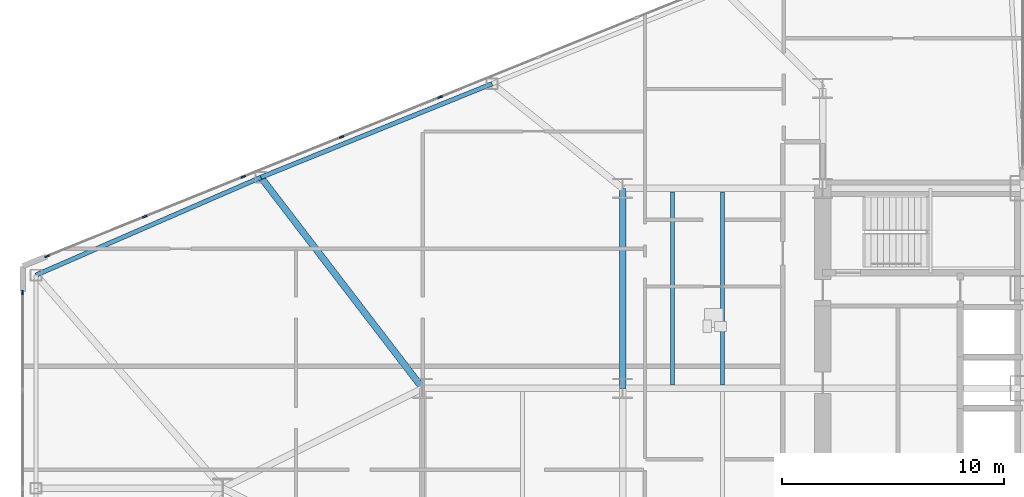
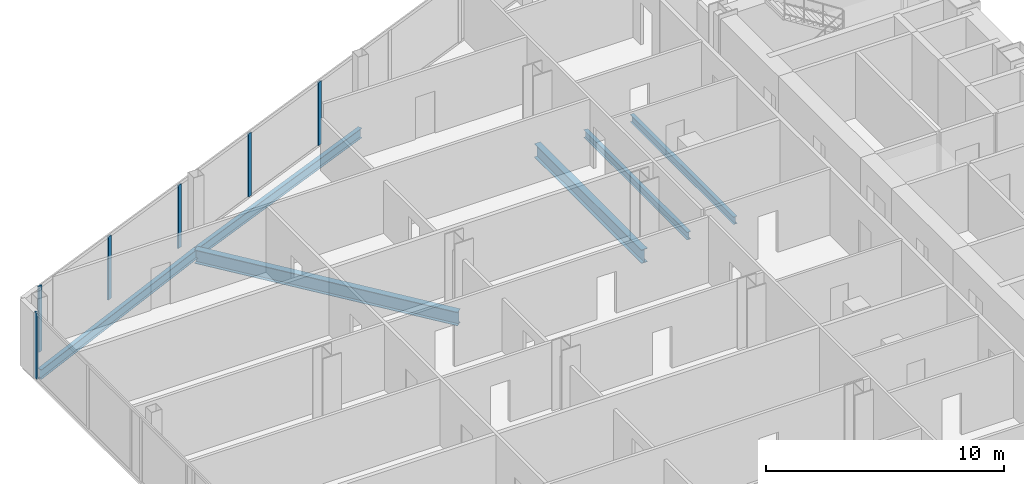
# One storey, part 6 of 25: 6 beams, 6 members, 2 elements without a shape of their own.
"""IFC4 building model written with IfcOpenShell, lengths in metres."""

from ifc_helpers import new_model, si_unit, direction, frame, origin, origin_2d, place, context, subcontext, project, spatial, rectangle, i_section, extrude, source, transform, mapped, material, layer, layer_set, material_profile, profile_set, type_object, type_shapes, element, aggregate, save


model = new_model("IFC4")

# Units and contexts
model_context = context("Model", 3, precision=1e-05, world=origin(), true_north=direction((0.0, 1.0)))
body_context = subcontext(model_context, "Body", "Model", "MODEL_VIEW")
ifc_project = project(units=[si_unit("LENGTHUNIT", "METRE"), si_unit("AREAUNIT", "SQUARE_METRE"), si_unit("VOLUMEUNIT", "CUBIC_METRE"), si_unit("PLANEANGLEUNIT", "RADIAN"), si_unit("MASSUNIT", "GRAM", prefix="KILO")], contexts=[model_context])

# Site, building, storey
site_placement = place(None, origin())
site = spatial("IfcSite", under=ifc_project, at=site_placement, CompositionType="ELEMENT")
building_placement = place(site_placement, origin())
building = spatial("IfcBuilding", under=site, at=building_placement, Name="Seokmaru Belvedere", CompositionType="ELEMENT")
storey_placement = place(building_placement, frame((0.0, 0.0, 44.10009765625)))
storey = spatial("IfcBuildingStorey", under=building, at=storey_placement, Name="L11", CompositionType="ELEMENT", Elevation=44.10009765625)

# Beams
ifc_material_1 = material(Name="Steel SM355 (355 MPa)", Category="steel")
ifc_material_profile_1 = material_profile(ifc_material_1, i_section(OverallWidth=0.300048828125, OverallDepth=0.699951171875, WebThickness=0.012939453125, FlangeThickness=0.02392578125, at=origin_2d()), Name="H-700x300x13x24")
ifc_profile_set_1 = profile_set([ifc_material_profile_1], Name="Steel SM355 (355 MPa)")
beam_type_1 = type_object("IfcBeamType", Name="Primary Floor Girder H-700", PredefinedType="BEAM", material=ifc_profile_set_1)
shared_shape_1 = source(origin(), body_context, "Body", "SweptSolid", [
    extrude(i_section(OverallWidth=0.300048828125, OverallDepth=0.699951171875, WebThickness=0.012939453125, FlangeThickness=0.02392578125, at=origin_2d()), origin(), (0.0, 0.0, 1.0), 9.0),
])
beam_1_placement = place(storey_placement, frame((-45.5, 4.5, -0.570068359375), z_axis=(0.0, 1.0, 0.0), x_axis=(-1.0, 0.0, 0.0)))
element("IfcBeam", 1, at=beam_1_placement, inside=storey, type_object=beam_type_1, Name="L11 W Interior Grid Girder 3", PredefinedType="BEAM", context=body_context, shape_type="MappedRepresentation", body=[
    mapped(shared_shape_1, transform((0.0, 0.0, 0.0), scale=1.0)),
])
ifc_material_profile_2 = material_profile(ifc_material_1, i_section(OverallWidth=0.18505859375, OverallDepth=0.389892578125, WebThickness=0.008056640625, FlangeThickness=0.011962890625, at=origin_2d()), Name="H-390x185x8x12")
ifc_profile_set_2 = profile_set([ifc_material_profile_2], Name="Steel SM355 (355 MPa)")
beam_type_2 = type_object("IfcBeamType", Name="Secondary Floor Joist H-350", PredefinedType="JOIST", material=ifc_profile_set_2)
shared_shape_2 = source(origin(), body_context, "Body", "SweptSolid", [
    extrude(i_section(OverallWidth=0.18505859375, OverallDepth=0.389892578125, WebThickness=0.008056640625, FlangeThickness=0.011962890625, at=origin_2d()), origin(), (0.0, 0.0, 1.0), 8.68994140625),
])
type_shapes(beam_type_2, [shared_shape_2])
for number, where, z_axis, x_axis, name in (
    (2, (-43.25, 4.655029296875, -0.4150390625), (0.0, 1.0, 0.0), (-1.0, 0.0, 0.0), "L11 W Wing Inner Secondary Joist 2"),
    (3, (-41.0, 4.655029296875, -0.4150390625), (0.0, 1.0, 0.0), (-1.0, 0.0, 0.0), "L11 W Secondary Floor Joist 3"),
):
    element("IfcBeam", number, at=place(storey_placement, frame(where, z_axis=z_axis, x_axis=x_axis)), inside=storey, type_object=beam_type_2, Name=name, PredefinedType="JOIST", context=body_context, shape_type="MappedRepresentation", body=[
        mapped(shared_shape_2, transform((0.0, 0.0, 0.0), scale=1.0)),
    ])
ifc_material_profile_3 = material_profile(ifc_material_1, i_section(OverallWidth=0.199951171875, OverallDepth=0.5, WebThickness=0.010009765625, FlangeThickness=0.01611328125, at=origin_2d()), Name="H-500x200x10x16")
ifc_profile_set_3 = profile_set([ifc_material_profile_3], Name="Steel SM355 (355 MPa)")
beam_type_3 = type_object("IfcBeamType", Name="Perimeter Spandrel Beam H-500", PredefinedType="SPANDREL", material=ifc_profile_set_3)
shared_shape_3 = source(origin(), body_context, "Body", "SweptSolid", [
    extrude(i_section(OverallWidth=0.199951171875, OverallDepth=0.5, WebThickness=0.010009765625, FlangeThickness=0.01611328125, at=origin_2d()), origin(), (0.0, 0.0, 1.0), 11.220703125),
])
beam_2_placement = place(storey_placement, frame((-51.378173828125, 18.2041015625, -0.47021484375), z_axis=(-0.926944290816, -0.375198989503, 0.0), x_axis=(0.375198989503, -0.926944290816, 0.0)))
element("IfcBeam", 4, at=beam_2_placement, inside=storey, type_object=beam_type_3, Name="L11 W Faceted Flank Spandrel N-3", PredefinedType="SPANDREL", context=body_context, shape_type="MappedRepresentation", body=[
    mapped(shared_shape_3, transform((0.0, 0.0, 0.0), scale=1.0)),
])
shared_shape_4 = source(origin(), body_context, "Body", "SweptSolid", [
    extrude(i_section(OverallWidth=0.199951171875, OverallDepth=0.5, WebThickness=0.010009765625, FlangeThickness=0.01611328125, at=origin_2d()), origin(), (0.0, 0.0, 1.0), 11.035400390625),
])
type_shapes(beam_type_3, [shared_shape_3, shared_shape_4])
beam_3_placement = place(storey_placement, frame((-61.779052734375, 13.994140625, -0.47021484375), z_axis=(-0.917134058682, -0.398578873507, 0.0), x_axis=(0.398578873507, -0.917134058682, 0.0)))
element("IfcBeam", 5, at=beam_3_placement, inside=storey, type_object=beam_type_3, Name="L11 W Faceted Flank Spandrel N-4", PredefinedType="SPANDREL", context=body_context, shape_type="MappedRepresentation", body=[
    mapped(shared_shape_4, transform((0.0, 0.0, 0.0), scale=1.0)),
])
shared_shape_5 = source(origin(), body_context, "Body", "SweptSolid", [
    extrude(i_section(OverallWidth=0.300048828125, OverallDepth=0.699951171875, WebThickness=0.012939453125, FlangeThickness=0.02392578125, at=origin_2d()), origin(), (0.0, 0.0, 1.0), 11.96337890625),
])
type_shapes(beam_type_1, [shared_shape_1, shared_shape_5])
beam_4_placement = place(storey_placement, frame((-61.779052734375, 13.994140625, -0.570068359375), z_axis=(0.608442682624, -0.793597821294, 0.0), x_axis=(0.793597821294, 0.608442682624, 0.0)))
element("IfcBeam", 6, at=beam_4_placement, inside=storey, type_object=beam_type_1, Name="L11 W Flank Radial Floor Girder N-3", PredefinedType="BEAM", context=body_context, shape_type="MappedRepresentation", body=[
    mapped(shared_shape_5, transform((0.0, 0.0, 0.0), scale=1.0)),
])

# Curtain wall, members
ifc_material_2 = material(Name="Bronze Triple Insulating Glass", Category="glass")
ifc_layer = layer(ifc_material_2, 0.2099609375)
ifc_layer_set = layer_set([ifc_layer], Name="Bronze Triple Insulating Glass")
curtain_wall_type = type_object("IfcCurtainWallType", Name="Low-Rise Faceted Crystal Curtain Wall System CW-2", PredefinedType="NOTDEFINED", material=ifc_layer_set)
curtain_wall_1_placement = place(storey_placement, origin())
curtain_wall_1 = element("IfcCurtainWall", 7, at=curtain_wall_1_placement, inside=storey, type_object=curtain_wall_type, Name="L11 Curtain Wall WF3", PredefinedType="NOTDEFINED")
ifc_material_3 = material(Name="Anodised Bronze Aluminium", Category="aluminium")
ifc_material_profile_4 = material_profile(ifc_material_3, rectangle(XDim=0.074951171875, YDim=0.2099609375, at=origin_2d()), Name="CW-M-75x210")
ifc_profile_set_4 = profile_set([ifc_material_profile_4], Name="Anodised Bronze Aluminium")
member_type = type_object("IfcMemberType", Name="Bronze Unitised Mullion 75x210", PredefinedType="MULLION", material=ifc_profile_set_4)
shared_shape_6 = source(origin(), body_context, "Body", "SweptSolid", [
    extrude(rectangle(XDim=0.074951171875, YDim=0.2099609375, at=origin_2d()), origin(), (0.0, 0.0, 1.0), 3.239990234375),
])
member_1_placement = place(storey_placement, frame((-53.71484375, 17.603515625, 0.06982421875), z_axis=(0.0, 0.0, 1.0), x_axis=(0.375192321888, -0.926946989637, 0.0)))
member_1 = element("IfcMember", 8, at=member_1_placement, type_object=member_type, Name="CW:L11:WF3 Mullion 6", PredefinedType="MULLION", context=body_context, shape_type="MappedRepresentation", body=[
    mapped(shared_shape_6, transform((0.0, 0.0, 0.0), scale=1.0)),
])
member_2_placement = place(storey_placement, frame((-58.144775390625, 15.810546875, 0.06982421875), z_axis=(0.0, 0.0, 1.0), x_axis=(0.375192321888, -0.926946989637, 0.0)))
member_2 = element("IfcMember", 9, at=member_2_placement, type_object=member_type, Name="CW:L11:WF3 Mullion 7", PredefinedType="MULLION", context=body_context, shape_type="MappedRepresentation", body=[
    mapped(shared_shape_6, transform((0.0, 0.0, 0.0), scale=1.0)),
])
member_3_placement = place(storey_placement, frame((-62.574462890625, 14.017578125, 0.06982421875), z_axis=(0.0, 0.0, 1.0), x_axis=(0.375192321888, -0.926946989637, 0.0)))
member_3 = element("IfcMember", 10, at=member_3_placement, type_object=member_type, Name="CW:L11:WF3 Mullion 8", PredefinedType="MULLION", context=body_context, shape_type="MappedRepresentation", body=[
    mapped(shared_shape_6, transform((0.0, 0.0, 0.0), scale=1.0)),
])
member_4_placement = place(storey_placement, frame((-67.004150390625, 12.224609375, 0.06982421875), z_axis=(0.0, 0.0, 1.0), x_axis=(0.375192321888, -0.926946989637, 0.0)))
member_4 = element("IfcMember", 11, at=member_4_placement, type_object=member_type, Name="CW:L11:WF3 Mullion 9", PredefinedType="MULLION", context=body_context, shape_type="MappedRepresentation", body=[
    mapped(shared_shape_6, transform((0.0, 0.0, 0.0), scale=1.0)),
])
shared_shape_7 = source(origin(), body_context, "Body", "SweptSolid", [
    extrude(rectangle(XDim=0.074951171875, YDim=0.2099609375, at=origin_2d()), origin(), (0.0, 0.0, 1.0), 3.3798828125),
])
type_shapes(member_type, [shared_shape_6, shared_shape_7])
member_5_placement = place(storey_placement, frame((-71.399169921875, 10.445556640625, 0.0), z_axis=(0.0, 0.0, 1.0), x_axis=(0.375192321888, -0.926946989637, 0.0)))
member_5 = element("IfcMember", 12, at=member_5_placement, type_object=member_type, Name="CW:L11:WF3 Mullion 10", PredefinedType="MULLION", context=body_context, shape_type="MappedRepresentation", body=[
    mapped(shared_shape_7, transform((0.0, 0.0, 0.0), scale=1.0)),
])
aggregate(curtain_wall_1, [member_1, member_2, member_3, member_4, member_5])

# Curtain wall, member
curtain_wall_2_placement = place(storey_placement, origin())
curtain_wall_2 = element("IfcCurtainWall", 13, at=curtain_wall_2_placement, inside=storey, type_object=curtain_wall_type, Name="L11 Curtain Wall WF4", PredefinedType="NOTDEFINED")
member_6_placement = place(storey_placement, frame((-72.5, 8.8125, 0.0), z_axis=(0.0, 0.0, 1.0), x_axis=(1.0, 0.0, 0.0)))
member_6 = element("IfcMember", 14, at=member_6_placement, type_object=member_type, Name="CW:L11:WF4 Mullion 1", PredefinedType="MULLION", context=body_context, shape_type="MappedRepresentation", body=[
    mapped(shared_shape_7, transform((0.0, 0.0, 0.0), scale=1.0)),
])
aggregate(curtain_wall_2, [member_6])

save(model, "model.ifc")
